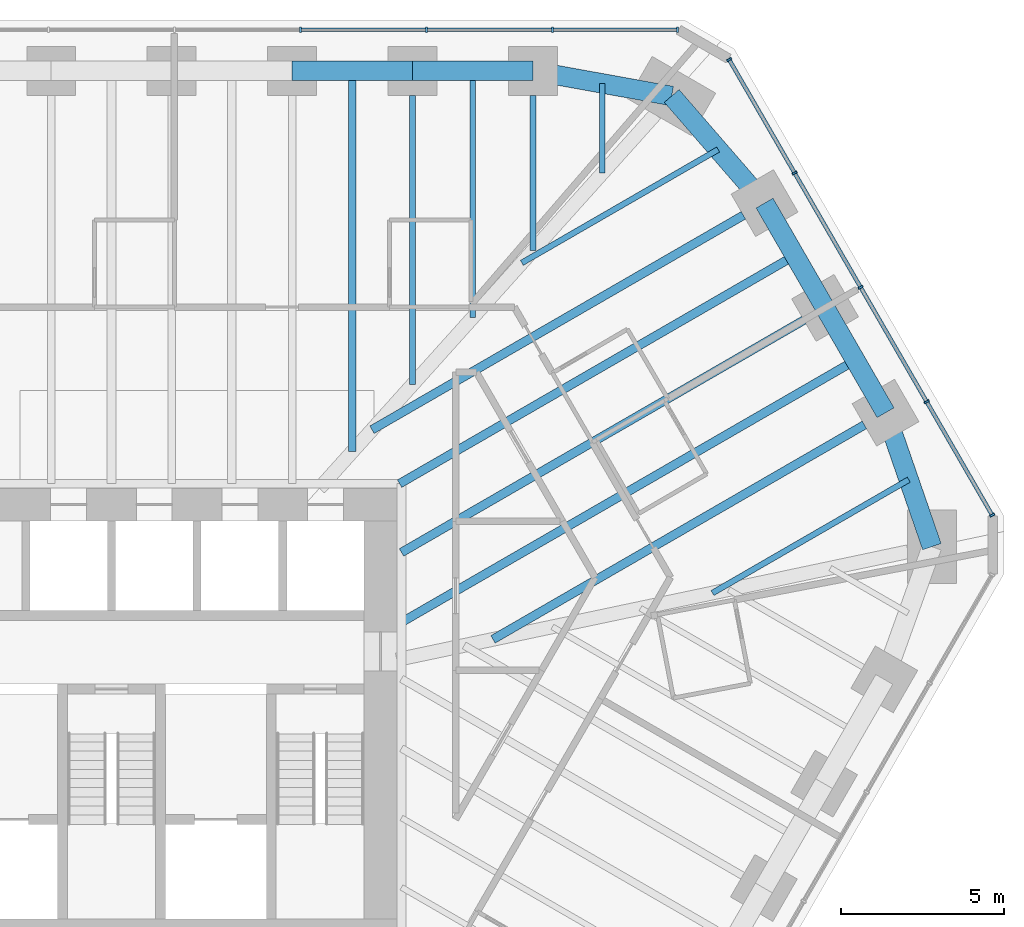
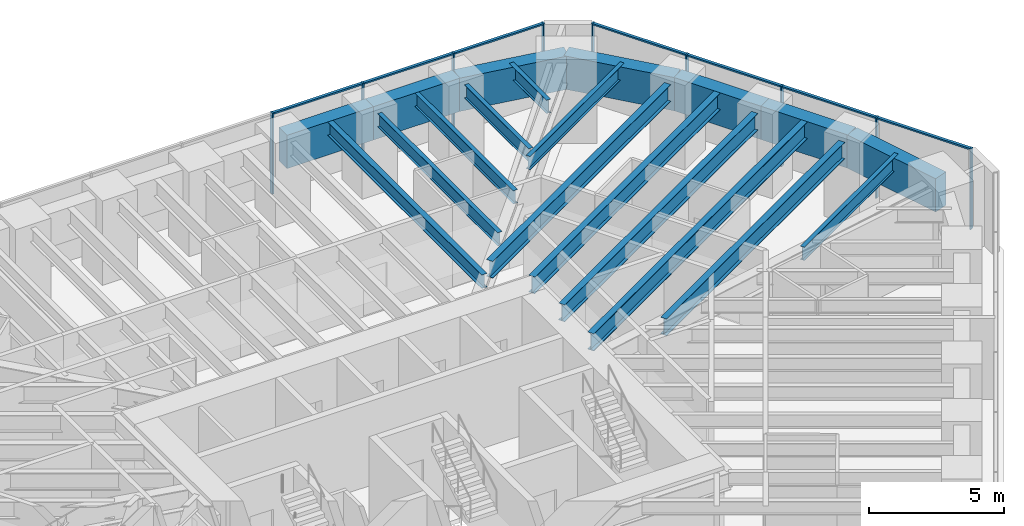
# One storey, part 9 of 16: 19 beams, 16 members, 2 elements without a shape of their own.
"""IFC4 building model written with IfcOpenShell, lengths in metres."""

from ifc_helpers import new_model, si_unit, direction, frame, origin, origin_2d, place, context, subcontext, project, spatial, rectangle, i_section, extrude, material, material_profile, profile_set, type_object, element, aggregate, save


model = new_model("IFC4")

# Units and contexts
model_context = context("Model", 3, precision=1e-05, world=origin(), true_north=direction((0.0, 1.0)))
body_context = subcontext(model_context, "Body", "Model", "MODEL_VIEW")
ifc_project = project(units=[si_unit("LENGTHUNIT", "METRE"), si_unit("AREAUNIT", "SQUARE_METRE"), si_unit("VOLUMEUNIT", "CUBIC_METRE"), si_unit("PLANEANGLEUNIT", "RADIAN"), si_unit("MASSUNIT", "GRAM", prefix="KILO")], contexts=[model_context])

# Site, building, storey
site_placement = place(None, origin())
site = spatial("IfcSite", under=ifc_project, at=site_placement, CompositionType="ELEMENT")
building_placement = place(site_placement, origin())
building = spatial("IfcBuilding", under=site, at=building_placement, Name="Sandreach Pilgrim Tower", CompositionType="ELEMENT")
storey_placement = place(building_placement, frame((0.0, 0.0, 202.199951171875)))
storey = spatial("IfcBuildingStorey", under=building, at=storey_placement, Name="L50", CompositionType="ELEMENT", Elevation=202.199951171875)

# Curtain wall, members
ifc_material_1 = material(Name="Aluminium framed curtain wall", Category="aluminium")
curtain_wall_type = type_object("IfcCurtainWallType", Name="Upper hotel tower curtain wall", PredefinedType="NOTDEFINED", material=ifc_material_1)
curtain_wall_1_placement = place(storey_placement, origin())
curtain_wall_1 = element("IfcCurtainWall", 1, at=curtain_wall_1_placement, inside=storey, type_object=curtain_wall_type, Name="CW-3 L50 N", PredefinedType="NOTDEFINED")
ifc_material_2 = material(Name="Aluminium extrusion", Category="aluminium")
ifc_material_profile_1 = material_profile(ifc_material_2, rectangle(XDim=0.06494140625, YDim=0.159912109375, at=origin_2d()), Name="CW-3M 65X160")
ifc_profile_set_1 = profile_set([ifc_material_profile_1], Name="Aluminium extrusion")
member_type_1 = type_object("IfcMemberType", Name="CW-3 mullion", PredefinedType="MULLION", material=ifc_profile_set_1)
member_1_placement = place(storey_placement, frame((5.796630859375, 21.16015625, 0.0), z_axis=(0.0, 0.0, 1.0), x_axis=(1.0, 0.0, 0.0)))
member_1 = element("IfcMember", 2, at=member_1_placement, type_object=member_type_1, Name="CW-3 mullion 7", PredefinedType="MULLION", context=body_context, shape_type="SweptSolid", body=[
    extrude(rectangle(XDim=0.06494140625, YDim=0.159912109375, at=origin_2d()), origin(), (0.0, 0.0, 1.0), 3.64013671875),
])
member_2_placement = place(storey_placement, frame((9.6611328125, 21.16015625, 0.0), z_axis=(0.0, 0.0, 1.0), x_axis=(1.0, 0.0, 0.0)))
member_2 = element("IfcMember", 3, at=member_2_placement, type_object=member_type_1, Name="CW-3 mullion 8", PredefinedType="MULLION", context=body_context, shape_type="SweptSolid", body=[
    extrude(rectangle(XDim=0.06494140625, YDim=0.159912109375, at=origin_2d()), origin(), (0.0, 0.0, 1.0), 3.64013671875),
])
member_3_placement = place(storey_placement, frame((13.525390625, 21.16015625, 0.0), z_axis=(0.0, 0.0, 1.0), x_axis=(1.0, 0.0, 0.0)))
member_3 = element("IfcMember", 4, at=member_3_placement, type_object=member_type_1, Name="CW-3 mullion 9", PredefinedType="MULLION", context=body_context, shape_type="SweptSolid", body=[
    extrude(rectangle(XDim=0.06494140625, YDim=0.159912109375, at=origin_2d()), origin(), (0.0, 0.0, 1.0), 3.64013671875),
])
member_4_placement = place(storey_placement, frame((17.357421875, 21.16015625, 0.0), z_axis=(0.0, 0.0, 1.0), x_axis=(1.0, 0.0, 0.0)))
member_4 = element("IfcMember", 5, at=member_4_placement, type_object=member_type_1, Name="CW-3 mullion 10", PredefinedType="MULLION", context=body_context, shape_type="SweptSolid", body=[
    extrude(rectangle(XDim=0.06494140625, YDim=0.159912109375, at=origin_2d()), origin(), (0.0, 0.0, 1.0), 3.64013671875),
])

curtain_wall_2_placement = place(storey_placement, origin())
curtain_wall_2 = element("IfcCurtainWall", 6, at=curtain_wall_2_placement, inside=storey, type_object=curtain_wall_type, Name="CW-3 L50 NE", PredefinedType="NOTDEFINED")
member_5_placement = place(storey_placement, frame((18.93896484375, 20.2470703125, 0.0), z_axis=(0.0, 0.0, 1.0), x_axis=(0.5, -0.866025403784, 0.0)))
member_5 = element("IfcMember", 7, at=member_5_placement, type_object=member_type_1, Name="CW-3 mullion 1", PredefinedType="MULLION", context=body_context, shape_type="SweptSolid", body=[
    extrude(rectangle(XDim=0.06494140625, YDim=0.159912109375, at=origin_2d()), origin(), (0.0, 0.0, 1.0), 3.64013671875),
])
member_6_placement = place(storey_placement, frame((20.947021484375, 16.768798828125, 0.0), z_axis=(0.0, 0.0, 1.0), x_axis=(0.5, -0.866025403784, 0.0)))
member_6 = element("IfcMember", 8, at=member_6_placement, type_object=member_type_1, Name="CW-3 mullion 2", PredefinedType="MULLION", context=body_context, shape_type="SweptSolid", body=[
    extrude(rectangle(XDim=0.06494140625, YDim=0.159912109375, at=origin_2d()), origin(), (0.0, 0.0, 1.0), 3.64013671875),
])
member_7_placement = place(storey_placement, frame((22.971435546875, 13.262451171875, 0.0), z_axis=(0.0, 0.0, 1.0), x_axis=(0.5, -0.866025403784, 0.0)))
member_7 = element("IfcMember", 9, at=member_7_placement, type_object=member_type_1, Name="CW-3 mullion 3", PredefinedType="MULLION", context=body_context, shape_type="SweptSolid", body=[
    extrude(rectangle(XDim=0.06494140625, YDim=0.159912109375, at=origin_2d()), origin(), (0.0, 0.0, 1.0), 3.64013671875),
])
member_8_placement = place(storey_placement, frame((24.995849609375, 9.75634765625, 0.0), z_axis=(0.0, 0.0, 1.0), x_axis=(0.5, -0.866025403784, 0.0)))
member_8 = element("IfcMember", 10, at=member_8_placement, type_object=member_type_1, Name="CW-3 mullion 4", PredefinedType="MULLION", context=body_context, shape_type="SweptSolid", body=[
    extrude(rectangle(XDim=0.06494140625, YDim=0.159912109375, at=origin_2d()), origin(), (0.0, 0.0, 1.0), 3.64013671875),
])
member_9_placement = place(storey_placement, frame((27.00390625, 6.278076171875, 0.0), z_axis=(0.0, 0.0, 1.0), x_axis=(0.5, -0.866025403784, 0.0)))
member_9 = element("IfcMember", 11, at=member_9_placement, type_object=member_type_1, Name="CW-3 mullion 5", PredefinedType="MULLION", context=body_context, shape_type="SweptSolid", body=[
    extrude(rectangle(XDim=0.06494140625, YDim=0.159912109375, at=origin_2d()), origin(), (0.0, 0.0, 1.0), 3.64013671875),
])

# Member
ifc_material_3 = material(Name="Aluminium extrusion", Category="aluminium")
ifc_material_profile_2 = material_profile(ifc_material_3, rectangle(XDim=0.1201171875, YDim=0.070068359375, at=origin_2d()), Name="CW-3T 120X70")
ifc_profile_set_2 = profile_set([ifc_material_profile_2], Name="Aluminium extrusion")
member_type_2 = type_object("IfcMemberType", Name="CW-3 transom", PredefinedType="USERDEFINED", material=ifc_profile_set_2)
member_10_placement = place(storey_placement, frame((5.8291015625, 21.16015625, 3.60498046875), z_axis=(1.0, 0.0, 0.0), x_axis=(0.0, 1.0, 0.0)))
member_10 = element("IfcMember", 12, at=member_10_placement, type_object=member_type_2, Name="CW-3 head transom 7", ObjectType="TRANSOM", PredefinedType="USERDEFINED", context=body_context, shape_type="SweptSolid", body=[
    extrude(rectangle(XDim=0.1201171875, YDim=0.070068359375, at=origin_2d()), origin(), (0.0, 0.0, 1.0), 3.799560546875),
])

member_11_placement = place(storey_placement, frame((9.693603515625, 21.16015625, 3.60498046875), z_axis=(1.0, 0.0, 0.0), x_axis=(0.0, 1.0, 0.0)))
member_11 = element("IfcMember", 13, at=member_11_placement, type_object=member_type_2, Name="CW-3 head transom 8", ObjectType="TRANSOM", PredefinedType="USERDEFINED", context=body_context, shape_type="SweptSolid", body=[
    extrude(rectangle(XDim=0.1201171875, YDim=0.070068359375, at=origin_2d()), origin(), (0.0, 0.0, 1.0), 3.79931640625),
])

member_12_placement = place(storey_placement, frame((13.557861328125, 21.16015625, 3.60498046875), z_axis=(1.0, 0.0, 0.0), x_axis=(0.0, 1.0, 0.0)))
member_12 = element("IfcMember", 14, at=member_12_placement, type_object=member_type_2, Name="CW-3 head transom 9", ObjectType="TRANSOM", PredefinedType="USERDEFINED", context=body_context, shape_type="SweptSolid", body=[
    extrude(rectangle(XDim=0.1201171875, YDim=0.070068359375, at=origin_2d()), origin(), (0.0, 0.0, 1.0), 3.76708984375),
])

aggregate(curtain_wall_1, [member_1, member_2, member_3, member_4, member_10, member_11, member_12])

member_13_placement = place(storey_placement, frame((18.955322265625, 20.21875, 3.60498046875), z_axis=(0.499993448556, -0.866029186229, 0.0), x_axis=(0.866029186229, 0.499993448556, 0.0)))
member_13 = element("IfcMember", 15, at=member_13_placement, type_object=member_type_2, Name="CW-3 head transom 1", ObjectType="TRANSOM", PredefinedType="USERDEFINED", context=body_context, shape_type="SweptSolid", body=[
    extrude(rectangle(XDim=0.1201171875, YDim=0.070068359375, at=origin_2d()), origin(), (0.0, 0.0, 1.0), 3.951171875),
])

member_14_placement = place(storey_placement, frame((20.96337890625, 16.74072265625, 3.60498046875), z_axis=(0.499975332564, -0.866039645067, 0.0), x_axis=(0.866039645067, 0.499975332564, 0.0)))
member_14 = element("IfcMember", 16, at=member_14_placement, type_object=member_type_2, Name="CW-3 head transom 2", ObjectType="TRANSOM", PredefinedType="USERDEFINED", context=body_context, shape_type="SweptSolid", body=[
    extrude(rectangle(XDim=0.1201171875, YDim=0.070068359375, at=origin_2d()), origin(), (0.0, 0.0, 1.0), 3.983642578125),
])

member_15_placement = place(storey_placement, frame((22.98779296875, 13.234375, 3.60498046875), z_axis=(0.499975332564, -0.866039645067, 0.0), x_axis=(0.866039645067, 0.499975332564, 0.0)))
member_15 = element("IfcMember", 17, at=member_15_placement, type_object=member_type_2, Name="CW-3 head transom 3", ObjectType="TRANSOM", PredefinedType="USERDEFINED", context=body_context, shape_type="SweptSolid", body=[
    extrude(rectangle(XDim=0.1201171875, YDim=0.070068359375, at=origin_2d()), origin(), (0.0, 0.0, 1.0), 3.983642578125),
])

member_16_placement = place(storey_placement, frame((25.011962890625, 9.728271484375, 3.60498046875), z_axis=(0.499993448556, -0.866029186229, 0.0), x_axis=(0.866029186229, 0.499993448556, 0.0)))
member_16 = element("IfcMember", 18, at=member_16_placement, type_object=member_type_2, Name="CW-3 head transom 4", ObjectType="TRANSOM", PredefinedType="USERDEFINED", context=body_context, shape_type="SweptSolid", body=[
    extrude(rectangle(XDim=0.1201171875, YDim=0.070068359375, at=origin_2d()), origin(), (0.0, 0.0, 1.0), 3.951171875),
])

aggregate(curtain_wall_2, [member_5, member_6, member_7, member_8, member_9, member_13, member_14, member_15, member_16])

# Beams
ifc_material_4 = material(Name="Steel ASTM A992 Grade 50", Category="steel")
ifc_material_profile_3 = material_profile(ifc_material_4, i_section(OverallWidth=0.1787109375, OverallDepth=0.60205078125, WebThickness=0.010986328125, FlangeThickness=0.014892578125, at=origin_2d()), Name="W24X62")
ifc_profile_set_3 = profile_set([ifc_material_profile_3], Name="Steel ASTM A992 Grade 50")
beam_type_1 = type_object("IfcBeamType", Name="Floor beam W24X62", PredefinedType="BEAM", material=ifc_profile_set_3)
beam_1_placement = place(storey_placement, frame((9.231201171875, 19.150146484375, 3.339111328125), z_axis=(0.0, -1.0, 0.0), x_axis=(1.0, 0.0, 0.0)))
element("IfcBeam", 19, at=beam_1_placement, inside=storey, type_object=beam_type_1, Name="BM L50 F07", PredefinedType="BEAM", context=body_context, shape_type="SweptSolid", body=[
    extrude(i_section(OverallWidth=0.1787109375, OverallDepth=0.60205078125, WebThickness=0.010986328125, FlangeThickness=0.014892578125, at=origin_2d()), origin(), (0.0, 0.0, 1.0), 8.86962890625),
])
beam_2_placement = place(storey_placement, frame((12.923828125, 19.150146484375, 3.339111328125), z_axis=(0.0, -1.0, 0.0), x_axis=(1.0, 0.0, 0.0)))
element("IfcBeam", 20, at=beam_2_placement, inside=storey, type_object=beam_type_1, Name="BM L50 F08", PredefinedType="BEAM", context=body_context, shape_type="SweptSolid", body=[
    extrude(i_section(OverallWidth=0.1787109375, OverallDepth=0.60205078125, WebThickness=0.010986328125, FlangeThickness=0.014892578125, at=origin_2d()), origin(), (0.0, 0.0, 1.0), 4.757568359375),
])
beam_3_placement = place(storey_placement, frame((11.077392578125, 19.900146484375, 3.339111328125), z_axis=(0.0, -1.0, 0.0), x_axis=(1.0, 0.0, 0.0)))
element("IfcBeam", 21, at=beam_3_placement, inside=storey, type_object=beam_type_1, Name="BM L50 FM07", PredefinedType="BEAM", context=body_context, shape_type="SweptSolid", body=[
    extrude(i_section(OverallWidth=0.1787109375, OverallDepth=0.60205078125, WebThickness=0.010986328125, FlangeThickness=0.014892578125, at=origin_2d()), origin(), (0.0, 0.0, 1.0), 7.563720703125),
])
beam_4_placement = place(storey_placement, frame((15.05078125, 19.515380859375, 3.339111328125), z_axis=(0.0, -1.0, 0.0), x_axis=(1.0, 0.0, 0.0)))
element("IfcBeam", 22, at=beam_4_placement, inside=storey, type_object=beam_type_1, Name="BM L50 FM08", PredefinedType="BEAM", context=body_context, shape_type="SweptSolid", body=[
    extrude(i_section(OverallWidth=0.1787109375, OverallDepth=0.60205078125, WebThickness=0.010986328125, FlangeThickness=0.014892578125, at=origin_2d()), origin(), (0.0, 0.0, 1.0), 2.75390625),
])
for number, where, z_axis, x_axis, name in (
    (23, (18.6015625, 17.48828125, 3.339111328125), (-0.866029381593, -0.499993110171, 0.0), (0.499993110171, -0.866029381593, 0.0), "BM L50 FM09"),
    (24, (24.446044921875, 7.365234375, 3.339111328125), (-0.866029381593, -0.499993110171, 0.0), (0.499993110171, -0.866029381593, 0.0), "BM L50 FM12"),
):
    element("IfcBeam", number, at=place(storey_placement, frame(where, z_axis=z_axis, x_axis=x_axis)), inside=storey, type_object=beam_type_1, Name=name, PredefinedType="BEAM", context=body_context, shape_type="SweptSolid", body=[
        extrude(i_section(OverallWidth=0.1787109375, OverallDepth=0.60205078125, WebThickness=0.010986328125, FlangeThickness=0.014892578125, at=origin_2d()), origin(), (0.0, 0.0, 1.0), 6.94921875),
    ])
ifc_material_5 = material(Name="Steel ASTM A992 Grade 50", Category="steel")
ifc_material_profile_4 = material_profile(ifc_material_5, i_section(OverallWidth=0.23046875, OverallDepth=0.6171875, WebThickness=0.01318359375, FlangeThickness=0.022216796875, at=origin_2d()), Name="W24X94")
ifc_profile_set_4 = profile_set([ifc_material_profile_4], Name="Steel ASTM A992 Grade 50")
beam_type_2 = type_object("IfcBeamType", Name="Floor beam W24X94", PredefinedType="BEAM", material=ifc_profile_set_4)
beam_5_placement = place(storey_placement, frame((7.385009765625, 19.900146484375, 3.33154296875), z_axis=(0.0, -1.0, 0.0), x_axis=(1.0, 0.0, 0.0)))
element("IfcBeam", 25, at=beam_5_placement, inside=storey, type_object=beam_type_2, Name="BM L50 FM06", PredefinedType="BEAM", context=body_context, shape_type="SweptSolid", body=[
    extrude(i_section(OverallWidth=0.23046875, OverallDepth=0.6171875, WebThickness=0.01318359375, FlangeThickness=0.022216796875, at=origin_2d()), origin(), (0.0, 0.0, 1.0), 11.67578125),
])
ifc_material_6 = material(Name="Steel ASTM A992 Grade 50", Category="steel")
ifc_material_profile_5 = material_profile(ifc_material_6, i_section(OverallWidth=0.2666015625, OverallDepth=0.761962890625, WebThickness=0.014404296875, FlangeThickness=0.021484375, at=origin_2d()), Name="W30X116")
ifc_profile_set_5 = profile_set([ifc_material_profile_5], Name="Steel ASTM A992 Grade 50")
beam_type_3 = type_object("IfcBeamType", Name="Floor beam W30X116", PredefinedType="BEAM", material=ifc_profile_set_5)
beam_6_placement = place(storey_placement, frame((19.37548828125, 15.470947265625, 3.259033203125), z_axis=(-0.866022320763, -0.500005339912, 0.0), x_axis=(0.500005339912, -0.866022320763, 0.0)))
element("IfcBeam", 26, at=beam_6_placement, inside=storey, type_object=beam_type_3, Name="BM L50 F10", PredefinedType="BEAM", context=body_context, shape_type="SweptSolid", body=[
    extrude(i_section(OverallWidth=0.2666015625, OverallDepth=0.761962890625, WebThickness=0.014404296875, FlangeThickness=0.021484375, at=origin_2d()), origin(), (0.0, 0.0, 1.0), 13.148193359375),
])
beam_7_placement = place(storey_placement, frame((21.230712890625, 12.257568359375, 3.259033203125), z_axis=(-0.866024056942, -0.500002332792, 0.0), x_axis=(0.500002332792, -0.866024056942, 0.0)))
element("IfcBeam", 27, at=beam_7_placement, inside=storey, type_object=beam_type_3, Name="BM L50 F11", PredefinedType="BEAM", context=body_context, shape_type="SweptSolid", body=[
    extrude(i_section(OverallWidth=0.2666015625, OverallDepth=0.761962890625, WebThickness=0.014404296875, FlangeThickness=0.021484375, at=origin_2d()), origin(), (0.0, 0.0, 1.0), 14.24609375),
])
beam_8_placement = place(storey_placement, frame((23.0859375, 9.044189453125, 3.259033203125), z_axis=(-0.866026962808, -0.499997299682, 0.0), x_axis=(0.499997299682, -0.866026962808, 0.0)))
element("IfcBeam", 28, at=beam_8_placement, inside=storey, type_object=beam_type_3, Name="BM L50 F12", PredefinedType="BEAM", context=body_context, shape_type="SweptSolid", body=[
    extrude(i_section(OverallWidth=0.2666015625, OverallDepth=0.761962890625, WebThickness=0.014404296875, FlangeThickness=0.021484375, at=origin_2d()), origin(), (0.0, 0.0, 1.0), 13.1484375),
])
beam_9_placement = place(storey_placement, frame((20.95263671875, 14.2392578125, 3.259033203125), z_axis=(-0.866025770688, -0.499999364504, 0.0), x_axis=(0.499999364504, -0.866025770688, 0.0)))
element("IfcBeam", 29, at=beam_9_placement, inside=storey, type_object=beam_type_3, Name="BM L50 FM10", PredefinedType="BEAM", context=body_context, shape_type="SweptSolid", body=[
    extrude(i_section(OverallWidth=0.2666015625, OverallDepth=0.761962890625, WebThickness=0.014404296875, FlangeThickness=0.021484375, at=origin_2d()), origin(), (0.0, 0.0, 1.0), 13.99169921875),
])
ifc_material_7 = material(Name="Steel ASTM A992 Grade 50", Category="steel")
ifc_material_profile_6 = material_profile(ifc_material_7, i_section(OverallWidth=0.2666015625, OverallDepth=0.77978515625, WebThickness=0.0166015625, FlangeThickness=0.030029296875, at=origin_2d()), Name="W30X148")
ifc_profile_set_6 = profile_set([ifc_material_profile_6], Name="Steel ASTM A992 Grade 50")
beam_type_4 = type_object("IfcBeamType", Name="Floor beam W30X148", PredefinedType="BEAM", material=ifc_profile_set_6)
beam_10_placement = place(storey_placement, frame((22.807861328125, 11.02587890625, 3.250244140625), z_axis=(-0.866028701771, -0.499994287676, 0.0), x_axis=(0.499994287676, -0.866028701771, 0.0)))
element("IfcBeam", 30, at=beam_10_placement, inside=storey, type_object=beam_type_4, Name="BM L50 FM11", PredefinedType="BEAM", context=body_context, shape_type="SweptSolid", body=[
    extrude(i_section(OverallWidth=0.2666015625, OverallDepth=0.77978515625, WebThickness=0.0166015625, FlangeThickness=0.030029296875, at=origin_2d()), origin(), (0.0, 0.0, 1.0), 16.067138671875),
])
ifc_material_8 = material(Name="Concrete 10000 psi", Category="concrete")
ifc_material_profile_7 = material_profile(ifc_material_8, rectangle(XDim=0.60009765625, YDim=1.5, at=origin_2d()), Name="RC600X1500")
ifc_profile_set_7 = profile_set([ifc_material_profile_7], Name="Concrete 10000 psi")
beam_type_5 = type_object("IfcBeamType", Name="Spandrel beam RC600X1500", PredefinedType="SPANDREL", material=ifc_profile_set_7)
beam_11_placement = place(storey_placement, frame((5.538818359375, 19.900146484375, 2.89013671875), z_axis=(1.0, 0.0, 0.0), x_axis=(0.0, 1.0, 0.0)))
element("IfcBeam", 31, at=beam_11_placement, inside=storey, type_object=beam_type_5, Name="BM L50 SP06", PredefinedType="SPANDREL", context=body_context, shape_type="SweptSolid", body=[
    extrude(rectangle(XDim=0.60009765625, YDim=1.5, at=origin_2d()), origin(), (0.0, 0.0, 1.0), 3.6923828125),
])
beam_12_placement = place(storey_placement, frame((9.231201171875, 19.900146484375, 2.89013671875), z_axis=(1.0, 0.0, 0.0), x_axis=(0.0, 1.0, 0.0)))
element("IfcBeam", 32, at=beam_12_placement, inside=storey, type_object=beam_type_5, Name="BM L50 SP07", PredefinedType="SPANDREL", context=body_context, shape_type="SweptSolid", body=[
    extrude(rectangle(XDim=0.60009765625, YDim=1.5, at=origin_2d()), origin(), (0.0, 0.0, 1.0), 3.692626953125),
])
beam_13_placement = place(storey_placement, frame((12.923828125, 19.900146484375, 2.89013671875), z_axis=(0.984030345637, -0.178000783326, 0.0), x_axis=(0.178000783326, 0.984030345637, 0.0)))
element("IfcBeam", 33, at=beam_13_placement, inside=storey, type_object=beam_type_5, Name="BM L50 SP08", PredefinedType="SPANDREL", context=body_context, shape_type="SweptSolid", body=[
    extrude(rectangle(XDim=0.60009765625, YDim=1.5, at=origin_2d()), origin(), (0.0, 0.0, 1.0), 4.3232421875),
])
beam_14_placement = place(storey_placement, frame((17.177978515625, 19.130615234375, 2.89013671875), z_axis=(0.65499040715, -0.755637192402, 0.0), x_axis=(0.755637192402, 0.65499040715, 0.0)))
element("IfcBeam", 34, at=beam_14_placement, inside=storey, type_object=beam_type_5, Name="BM L50 SP09", PredefinedType="SPANDREL", context=body_context, shape_type="SweptSolid", body=[
    extrude(rectangle(XDim=0.60009765625, YDim=1.5, at=origin_2d()), origin(), (0.0, 0.0, 1.0), 4.346923828125),
])
for number, where, z_axis, x_axis, name in (
    (35, (20.025146484375, 15.845947265625, 2.89013671875), (0.499995842751, -0.86602780396, 0.0), (0.86602780396, 0.499995842751, 0.0), "BM L50 SP10"),
    (36, (21.88037109375, 12.632568359375, 2.89013671875), (0.499946491854, -0.866056294523, 0.0), (0.866056294523, 0.499946491854, 0.0), "BM L50 SP11"),
):
    element("IfcBeam", number, at=place(storey_placement, frame(where, z_axis=z_axis, x_axis=x_axis)), inside=storey, type_object=beam_type_5, Name=name, PredefinedType="SPANDREL", context=body_context, shape_type="SweptSolid", body=[
        extrude(rectangle(XDim=0.60009765625, YDim=1.5, at=origin_2d()), origin(), (0.0, 0.0, 1.0), 3.71044921875),
    ])
beam_15_placement = place(storey_placement, frame((23.7353515625, 9.419189453125, 2.89013671875), z_axis=(0.326940800053, -0.945044820768, 0.0), x_axis=(0.945044820768, 0.326940800053, 0.0)))
element("IfcBeam", 37, at=beam_15_placement, inside=storey, type_object=beam_type_5, Name="BM L50 SP12", PredefinedType="SPANDREL", context=body_context, shape_type="SweptSolid", body=[
    extrude(rectangle(XDim=0.60009765625, YDim=1.5, at=origin_2d()), origin(), (0.0, 0.0, 1.0), 4.3466796875),
])

save(model, "model.ifc")
